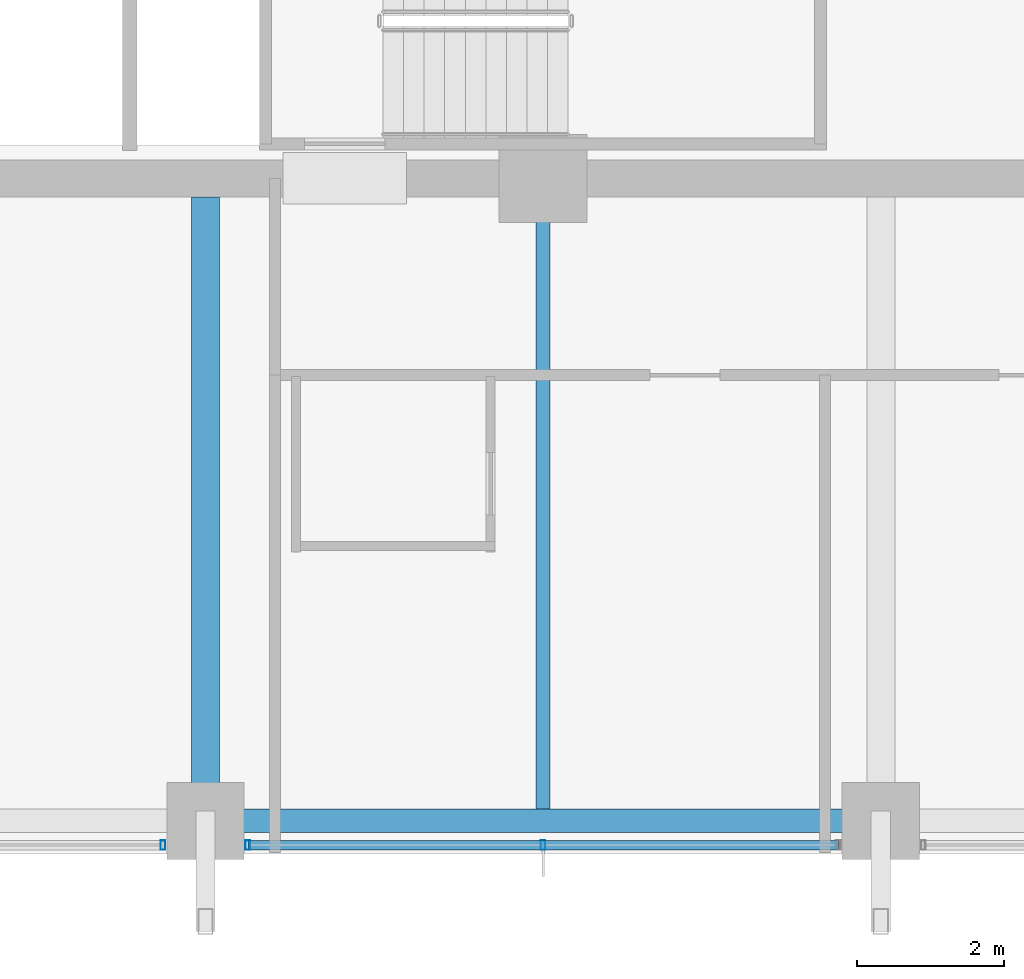
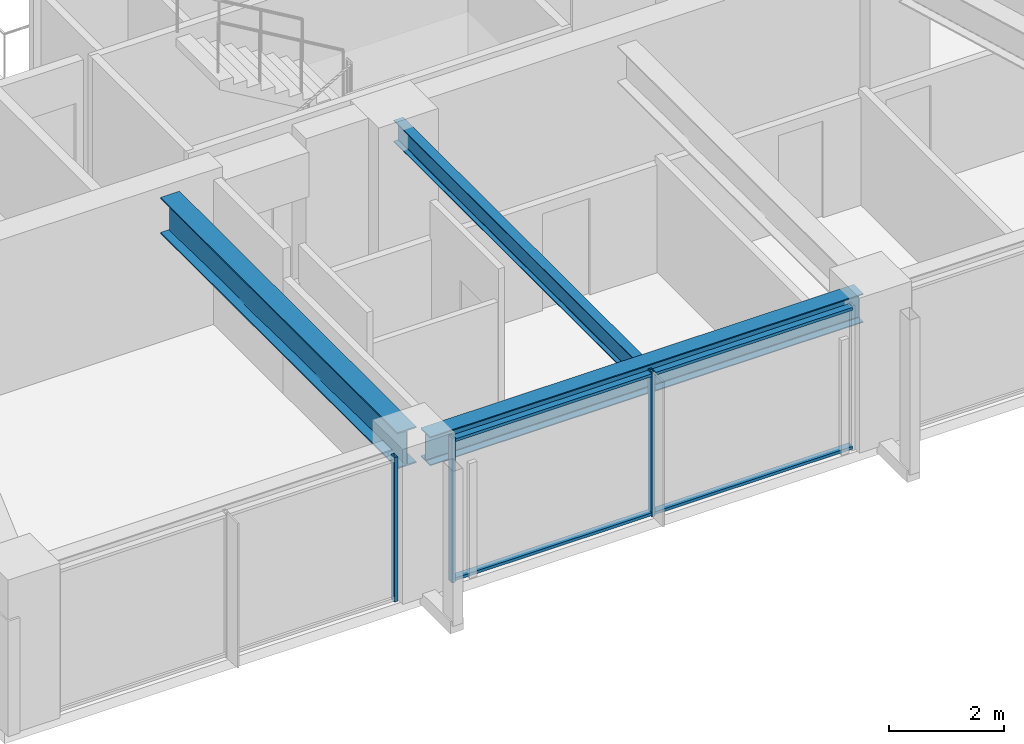
# One storey, part 5 of 35: 5 members, 3 beams, 2 elements without a shape of their own.
"""IFC4 building model written with IfcOpenShell, lengths in metres."""

from ifc_helpers import new_model, si_unit, direction, frame, origin, origin_2d, place, context, subcontext, project, spatial, hollow_rectangle, i_section, extrude, material, material_profile, profile_set, type_object, element, aggregate, save


model = new_model("IFC4")

# Units and contexts
model_context = context("Model", 3, precision=1e-05, world=origin(), true_north=direction((0.0, 1.0)))
body_context = subcontext(model_context, "Body", "Model", "MODEL_VIEW")
ifc_project = project(units=[si_unit("LENGTHUNIT", "METRE"), si_unit("AREAUNIT", "SQUARE_METRE"), si_unit("VOLUMEUNIT", "CUBIC_METRE"), si_unit("PLANEANGLEUNIT", "RADIAN"), si_unit("MASSUNIT", "GRAM", prefix="KILO")], contexts=[model_context])

# Site, building, storey
site_placement = place(None, origin())
site = spatial("IfcSite", under=ifc_project, at=site_placement, CompositionType="ELEMENT")
building_placement = place(site_placement, origin())
building = spatial("IfcBuilding", under=site, at=building_placement, Name="Kolvaren Belvedere", CompositionType="ELEMENT")
storey_placement = place(building_placement, frame((0.0, 0.0, 115.10009765625)))
storey = spatial("IfcBuildingStorey", under=building, at=storey_placement, Name="L33", CompositionType="ELEMENT", Elevation=115.10009765625)

# Beams
ifc_material_1 = material(Name="Structural steel ASTM A992 Grade 50", Category="steel")
ifc_material_profile_1 = material_profile(ifc_material_1, i_section(OverallWidth=0.381103515625, OverallDepth=0.77294921875, WebThickness=0.0166015625, FlangeThickness=0.027099609375, FilletRadius=0.02392578125, at=origin_2d()), Name="W30X173")
ifc_profile_set_1 = profile_set([ifc_material_profile_1], Name="Structural steel ASTM A992 Grade 50")
beam_type_1 = type_object("IfcBeamType", Name="BM-GIRD-W30X173", PredefinedType="BEAM", material=ifc_profile_set_1)
beam_1_placement = place(storey_placement, frame((-4.60009765625, -10.14990234375, 2.693359375), z_axis=(0.0, -1.0, 0.0), x_axis=(1.0, 0.0, 0.0)))
element("IfcBeam", 1, at=beam_1_placement, inside=storey, type_object=beam_type_1, Name="L33 South Radial Girder M", PredefinedType="BEAM", context=body_context, shape_type="SweptSolid", body=[
    extrude(i_section(OverallWidth=0.381103515625, OverallDepth=0.77294921875, WebThickness=0.0166015625, FlangeThickness=0.027099609375, FilletRadius=0.02392578125, at=origin_2d()), origin(), (0.0, 0.0, 1.0), 8.263916015625),
])
ifc_material_2 = material(Name="Structural steel ASTM A992 Grade 50", Category="steel")
ifc_material_profile_2 = material_profile(ifc_material_2, i_section(OverallWidth=0.19091796875, OverallDepth=0.4599609375, WebThickness=0.010009765625, FlangeThickness=0.01611328125, FilletRadius=0.014892578125, at=origin_2d()), Name="W18X55")
ifc_profile_set_2 = profile_set([ifc_material_profile_2], Name="Structural steel ASTM A992 Grade 50")
beam_type_2 = type_object("IfcBeamType", Name="BM-JOIST-W18X55", PredefinedType="BEAM", material=ifc_profile_set_2)
beam_2_placement = place(storey_placement, frame((0.0, -10.14990234375, 2.849853515625), z_axis=(0.0, -1.0, 0.0), x_axis=(1.0, 0.0, 0.0)))
element("IfcBeam", 2, at=beam_2_placement, inside=storey, type_object=beam_type_2, Name="L33 South Centre Floor Beam", PredefinedType="BEAM", context=body_context, shape_type="SweptSolid", body=[
    extrude(i_section(OverallWidth=0.19091796875, OverallDepth=0.4599609375, WebThickness=0.010009765625, FlangeThickness=0.01611328125, FilletRadius=0.014892578125, at=origin_2d()), origin(), (0.0, 0.0, 1.0), 8.337646484375),
])
ifc_material_3 = material(Name="Structural steel ASTM A992 Grade 50", Category="steel")
ifc_material_profile_3 = material_profile(ifc_material_3, i_section(OverallWidth=0.324951171875, OverallDepth=0.615966796875, WebThickness=0.013916015625, FlangeThickness=0.021484375, FilletRadius=0.02001953125, at=origin_2d()), Name="W24X117")
ifc_profile_set_3 = profile_set([ifc_material_profile_3], Name="Structural steel ASTM A992 Grade 50")
beam_type_3 = type_object("IfcBeamType", Name="BM-SPAN-W24X117", PredefinedType="SPANDREL", material=ifc_profile_set_3)
beam_3_placement = place(storey_placement, frame((-4.36376953125, -18.64990234375, 2.77197265625), z_axis=(1.0, 0.0, 0.0), x_axis=(0.0, 1.0, 0.0)))
element("IfcBeam", 3, at=beam_3_placement, inside=storey, type_object=beam_type_3, Name="L33 Perimeter Spandrel S2-S3", PredefinedType="SPANDREL", context=body_context, shape_type="SweptSolid", body=[
    extrude(i_section(OverallWidth=0.324951171875, OverallDepth=0.615966796875, WebThickness=0.013916015625, FlangeThickness=0.021484375, FilletRadius=0.02001953125, at=origin_2d()), origin(), (0.0, 0.0, 1.0), 8.7275390625),
])

# Curtain wall, members
ifc_material_4 = material(Name="Anodised pale-metal aluminium AA 6063-T6", Category="aluminium")
curtain_wall_type = type_object("IfcCurtainWallType", Name="CW-Z3-WAIST", PredefinedType="NOTDEFINED", material=ifc_material_4)
curtain_wall_1_placement = place(storey_placement, origin())
curtain_wall_1 = element("IfcCurtainWall", 4, at=curtain_wall_1_placement, inside=storey, type_object=curtain_wall_type, Name="L33 Unitised Curtain Wall FCW-L33-S-B2", PredefinedType="NOTDEFINED")
ifc_material_5 = material(Name="Anodised pale-metal aluminium AA 6063-T6", Category="aluminium")
ifc_material_profile_4 = material_profile(ifc_material_5, hollow_rectangle(XDim=0.06494140625, YDim=0.1298828125, WallThickness=0.00390625, at=origin_2d()), Name="ALU-MUL-130X65")
ifc_profile_set_4 = profile_set([ifc_material_profile_4], Name="Anodised pale-metal aluminium AA 6063-T6")
member_type_1 = type_object("IfcMemberType", Name="CW-MUL-130", PredefinedType="MULLION", material=ifc_profile_set_4)
member_1_placement = place(storey_placement, frame((0.0, -18.97998046875, 0.0), z_axis=(0.0, 0.0, 1.0), x_axis=(1.0, 0.0, 0.0)))
member_1 = element("IfcMember", 5, at=member_1_placement, type_object=member_type_1, Name="FCW-L33-S-B2 Unitised Mullion 2", PredefinedType="MULLION", context=body_context, shape_type="SweptSolid", body=[
    extrude(hollow_rectangle(XDim=0.06494140625, YDim=0.1298828125, WallThickness=0.00390625, at=origin_2d()), origin(), (0.0, 0.0, 1.0), 3.079833984375),
])
member_2_placement = place(storey_placement, frame((-4.0224609375, -18.97998046875, 0.0), z_axis=(0.0, 0.0, 1.0), x_axis=(1.0, 0.0, 0.0)))
member_2 = element("IfcMember", 6, at=member_2_placement, type_object=member_type_1, Name="FCW-L33-S-B2 Unitised Mullion 3", PredefinedType="MULLION", context=body_context, shape_type="SweptSolid", body=[
    extrude(hollow_rectangle(XDim=0.06494140625, YDim=0.1298828125, WallThickness=0.00390625, at=origin_2d()), origin(), (0.0, 0.0, 1.0), 3.079833984375),
])

# Curtain wall, member
curtain_wall_2_placement = place(storey_placement, origin())
curtain_wall_2 = element("IfcCurtainWall", 7, at=curtain_wall_2_placement, inside=storey, type_object=curtain_wall_type, Name="L33 Unitised Curtain Wall FCW-L33-S-B3", PredefinedType="NOTDEFINED")
member_3_placement = place(storey_placement, frame((-5.177490234375, -18.97998046875, 0.0), z_axis=(0.0, 0.0, 1.0), x_axis=(1.0, 0.0, 0.0)))
member_3 = element("IfcMember", 8, at=member_3_placement, type_object=member_type_1, Name="FCW-L33-S-B3 Unitised Mullion 1", PredefinedType="MULLION", context=body_context, shape_type="SweptSolid", body=[
    extrude(hollow_rectangle(XDim=0.06494140625, YDim=0.1298828125, WallThickness=0.00390625, at=origin_2d()), origin(), (0.0, 0.0, 1.0), 3.079833984375),
])
aggregate(curtain_wall_2, [member_3])

# Member
ifc_material_6 = material(Name="Anodised pale-metal aluminium AA 6063-T6", Category="aluminium")
ifc_material_profile_5 = material_profile(ifc_material_6, hollow_rectangle(XDim=0.06005859375, YDim=0.1298828125, WallThickness=0.00390625, at=origin_2d()), Name="ALU-TRN-130X60")
ifc_profile_set_5 = profile_set([ifc_material_profile_5], Name="Anodised pale-metal aluminium AA 6063-T6")
member_type_2 = type_object("IfcMemberType", Name="CW-TRN-130", PredefinedType="USERDEFINED", material=ifc_profile_set_5)
member_4_placement = place(storey_placement, frame((4.0224609375, -18.97998046875, 0.059814453125), z_axis=(-1.0, 0.0, 0.0), x_axis=(0.0, 0.0, 1.0)))
member_4 = element("IfcMember", 9, at=member_4_placement, type_object=member_type_2, Name="FCW-L33-S-B2 Sill Transom", ObjectType="TRANSOM", PredefinedType="USERDEFINED", context=body_context, shape_type="SweptSolid", body=[
    extrude(hollow_rectangle(XDim=0.06005859375, YDim=0.1298828125, WallThickness=0.00390625, at=origin_2d()), origin(), (0.0, 0.0, 1.0), 8.044921875),
])

member_5_placement = place(storey_placement, frame((4.0224609375, -18.97998046875, 3.02001953125), z_axis=(-1.0, 0.0, 0.0), x_axis=(0.0, 0.0, 1.0)))
member_5 = element("IfcMember", 10, at=member_5_placement, type_object=member_type_2, Name="FCW-L33-S-B2 Head Transom", ObjectType="TRANSOM", PredefinedType="USERDEFINED", context=body_context, shape_type="SweptSolid", body=[
    extrude(hollow_rectangle(XDim=0.06005859375, YDim=0.1298828125, WallThickness=0.00390625, at=origin_2d()), origin(), (0.0, 0.0, 1.0), 8.044921875),
])

aggregate(curtain_wall_1, [member_1, member_2, member_4, member_5])

save(model, "model.ifc")
